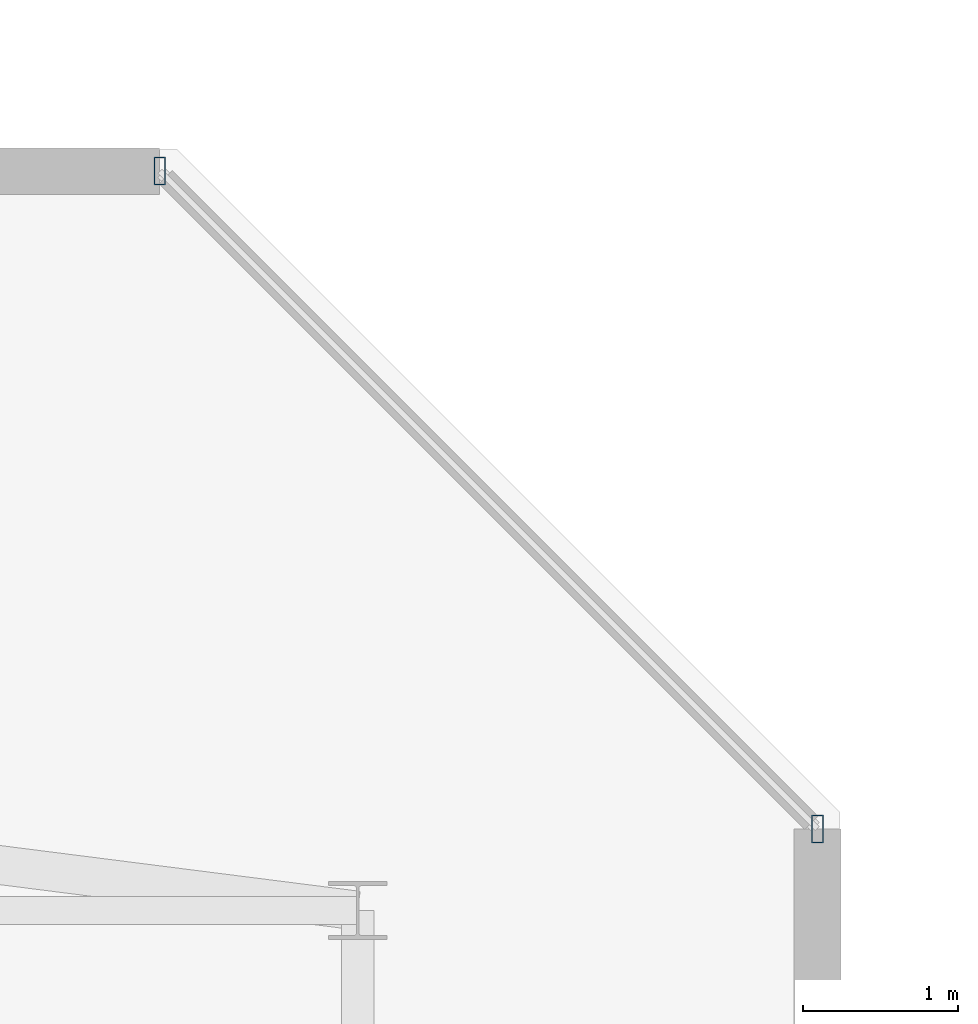
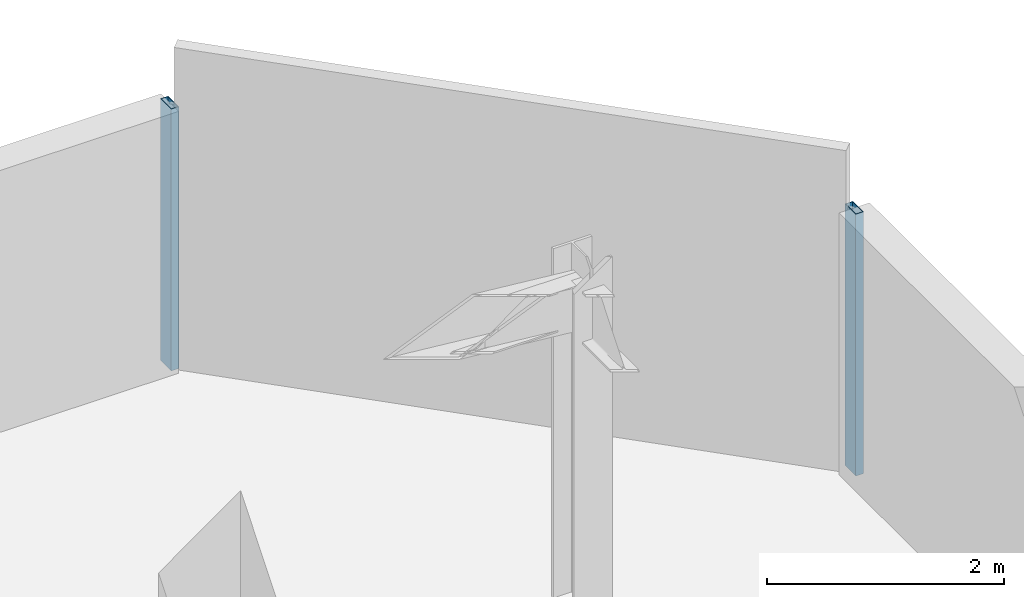
# One storey, part 9 of 31: 2 members, 1 element without a shape of its own.
"""IFC4 building model written with IfcOpenShell, lengths in metres."""

from ifc_helpers import new_model, si_unit, direction, frame, origin, origin_2d, place, context, subcontext, project, spatial, hollow_rectangle, extrude, material, material_profile, profile_set, type_object, element, aggregate, save


model = new_model("IFC4")

# Units and contexts
model_context = context("Model", 3, precision=1e-05, world=origin(), true_north=direction((0.0, 1.0)))
body_context = subcontext(model_context, "Body", "Model", "MODEL_VIEW")
ifc_project = project(units=[si_unit("LENGTHUNIT", "METRE"), si_unit("AREAUNIT", "SQUARE_METRE"), si_unit("VOLUMEUNIT", "CUBIC_METRE"), si_unit("PLANEANGLEUNIT", "RADIAN"), si_unit("MASSUNIT", "GRAM", prefix="KILO")], contexts=[model_context])

# Site, building, storey
site_placement = place(None, origin())
site = spatial("IfcSite", under=ifc_project, at=site_placement, CompositionType="ELEMENT")
building_placement = place(site_placement, origin())
building = spatial("IfcBuilding", under=site, at=building_placement, Name="Thornwick Lancets Civic Towers", CompositionType="ELEMENT")
storey_placement = place(building_placement, frame((0.0, 0.0, 254.699951171875)))
storey = spatial("IfcBuildingStorey", under=building, at=storey_placement, Name="L68", CompositionType="ELEMENT", Elevation=254.699951171875)

# Curtain wall, members
ifc_material_1 = material(Name="High-zone chamfered-corner unitised glass curtain wall", Category="glass")
curtain_wall_type = type_object("IfcCurtainWallType", Name="CW_SYS_05", PredefinedType="NOTDEFINED", material=ifc_material_1)
curtain_wall_placement = place(storey_placement, origin())
curtain_wall = element("IfcCurtainWall", 1, at=curtain_wall_placement, inside=storey, type_object=curtain_wall_type, Name="L68 Curtain Wall CW-L68-A-E3", PredefinedType="NOTDEFINED")
ifc_material_2 = material(Name="Thermally broken bronze aluminium S355", Category="steel")
ifc_material_profile = material_profile(ifc_material_2, hollow_rectangle(XDim=0.074951171875, YDim=0.179931640625, WallThickness=0.006103515625, at=origin_2d()), Name="RHS 180x75x6")
ifc_profile_set = profile_set([ifc_material_profile], Name="Thermally broken bronze aluminium S355")
member_type = type_object("IfcMemberType", Name="CW_MUL_180", PredefinedType="MULLION", material=ifc_profile_set)
member_1_placement = place(storey_placement, frame((49.25927734375, 40.52587890625, 0.0), z_axis=(0.0, 0.0, 1.0), x_axis=(1.0, 0.0, 0.0)))
member_1 = element("IfcMember", 2, at=member_1_placement, type_object=member_type, Name="CW-L68-A-E3 Mullion 0", PredefinedType="MULLION", context=body_context, shape_type="SweptSolid", body=[
    extrude(hollow_rectangle(XDim=0.074951171875, YDim=0.179931640625, WallThickness=0.006103515625, at=origin_2d()), origin(), (0.0, 0.0, 1.0), 2.699951171875),
])
member_2_placement = place(storey_placement, frame((45.02587890625, 44.75927734375, 0.0), z_axis=(0.0, 0.0, 1.0), x_axis=(1.0, 0.0, 0.0)))
member_2 = element("IfcMember", 3, at=member_2_placement, type_object=member_type, Name="CW-L68-A-E3 Mullion 1", PredefinedType="MULLION", context=body_context, shape_type="SweptSolid", body=[
    extrude(hollow_rectangle(XDim=0.074951171875, YDim=0.179931640625, WallThickness=0.006103515625, at=origin_2d()), origin(), (0.0, 0.0, 1.0), 2.699951171875),
])
aggregate(curtain_wall, [member_1, member_2])

save(model, "model.ifc")
